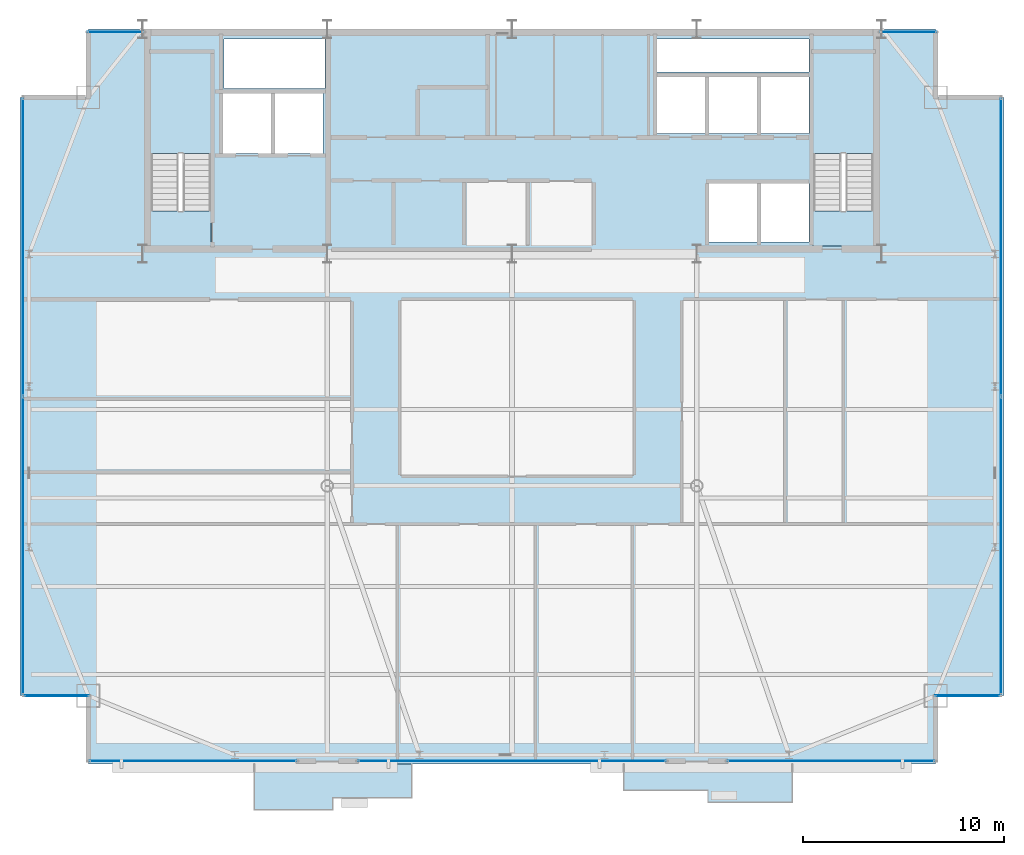
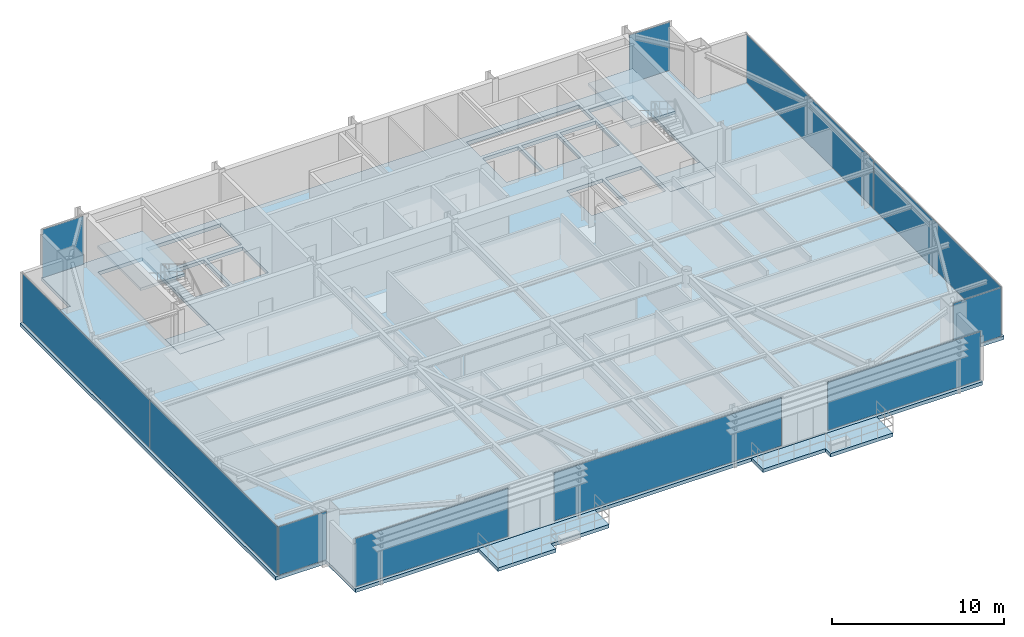
# One storey, part 23 of 30: 11 plates, 7 slabs, 11 elements without a shape of their own.
"""IFC4 building model written with IfcOpenShell, lengths in metres."""

from ifc_helpers import new_model, si_unit, direction, frame, origin, origin_2d, place, context, subcontext, project, spatial, polyline, rectangle, outline, extrude, source, transform, mapped, material, layer, layer_set, type_object, type_shapes, element, aggregate, save


model = new_model("IFC4")

# Units and contexts
model_context = context("Model", 3, precision=1e-05, world=origin(), true_north=direction((0.0, 1.0)))
body_context = subcontext(model_context, "Body", "Model", "MODEL_VIEW")
ifc_project = project(units=[si_unit("LENGTHUNIT", "METRE"), si_unit("AREAUNIT", "SQUARE_METRE"), si_unit("VOLUMEUNIT", "CUBIC_METRE"), si_unit("PLANEANGLEUNIT", "RADIAN"), si_unit("MASSUNIT", "GRAM", prefix="KILO")], contexts=[model_context])

# Site, building, storey
site_placement = place(None, origin())
site = spatial("IfcSite", under=ifc_project, at=site_placement, CompositionType="ELEMENT")
building_placement = place(site_placement, origin())
building = spatial("IfcBuilding", under=site, at=building_placement, Name="Varnel Quay Broadcast Tower", CompositionType="ELEMENT")
storey_placement = place(building_placement, frame((0.0, 0.0, 247.0)))
storey = spatial("IfcBuildingStorey", under=building, at=storey_placement, Name="L61", CompositionType="ELEMENT", Elevation=247.0)

# Slabs
ifc_material_1 = material(Name="Concrete CSA A23.3 C40/50", Category="concrete")
ifc_layer_1 = layer(ifc_material_1, 0.25, Name="Concrete CSA A23.3 C40/50")
ifc_layer_set_1 = layer_set([ifc_layer_1], Name="Concrete CSA A23.3 C40/50")
slab_type_1 = type_object("IfcSlabType", Name="Slab_ExtTerrace250", PredefinedType="FLOOR", material=ifc_layer_set_1)
slab_1_placement = place(storey_placement, frame((0.0, 0.0, -0.25)))
element("IfcSlab", 1, at=slab_1_placement, inside=storey, type_object=slab_type_1, Name="L61 Planted Lobe Terrace Slab 1", PredefinedType="FLOOR", context=body_context, shape_type="SweptSolid", body=[
    extrude(outline(polyline([(21.159912109375, 7.9140625), (25.080078125, 7.9140625), (25.080078125, 8.513916015625), (29.0, 8.513916015625), (29.0, 10.199951171875), (21.159912109375, 10.199951171875), (21.159912109375, 7.9140625)])), origin(), (0.0, 0.0, 1.0), 0.25),
])
slab_2_placement = place(storey_placement, frame((0.0, 0.0, -0.25)))
element("IfcSlab", 2, at=slab_2_placement, inside=storey, type_object=slab_type_1, Name="L61 Planted Lobe Terrace Slab 2", PredefinedType="FLOOR", context=body_context, shape_type="SweptSolid", body=[
    extrude(outline(polyline([(39.56005859375, 8.885986328125), (43.760009765625, 8.885986328125), (43.760009765625, 8.285888671875), (47.9599609375, 8.285888671875), (47.9599609375, 10.199951171875), (39.56005859375, 10.199951171875), (39.56005859375, 8.885986328125)])), origin(), (0.0, 0.0, 1.0), 0.25),
])
ifc_material_2 = material(Name="Concrete CSA A23.3 C50/60", Category="concrete")
ifc_layer_2 = layer(ifc_material_2, 0.25, Name="Concrete CSA A23.3 C50/60")
ifc_layer_set_2 = layer_set([ifc_layer_2], Name="Concrete CSA A23.3 C50/60")
slab_type_2 = type_object("IfcSlabType", Name="Slab_Floor250", PredefinedType="FLOOR", material=ifc_layer_set_2)
slab_3_placement = place(storey_placement, frame((0.0, 0.0, -0.25)))
element("IfcSlab", 3, at=slab_3_placement, inside=storey, type_object=slab_type_2, Name="L61 Structural Slab", PredefinedType="FLOOR", context=body_context, shape_type="SweptSolid", body=[
    extrude(outline(polyline([(12.89990234375, 10.199951171875), (55.10009765625, 10.199951171875), (55.10009765625, 13.60009765625), (58.5, 13.60009765625), (58.5, 43.39990234375), (55.10009765625, 43.39990234375), (55.10009765625, 46.800048828125), (12.89990234375, 46.800048828125), (12.89990234375, 43.39990234375), (9.5, 43.39990234375), (9.5, 13.60009765625), (12.89990234375, 13.60009765625), (12.89990234375, 10.199951171875)]), holes=[polyline([(19.0, 36.0), (16.0, 36.0), (16.0, 45.60009765625), (19.0, 45.60009765625), (19.0, 36.0)]), polyline([(19.60009765625, 40.60009765625), (19.60009765625, 43.60009765625), (22.0, 43.60009765625), (22.0, 40.60009765625), (19.60009765625, 40.60009765625)]), polyline([(22.199951171875, 40.60009765625), (22.199951171875, 43.60009765625), (24.60009765625, 43.60009765625), (24.60009765625, 40.60009765625), (22.199951171875, 40.60009765625)]), polyline([(41.199951171875, 44.39990234375), (43.60009765625, 44.39990234375), (43.60009765625, 41.60009765625), (41.199951171875, 41.60009765625), (41.199951171875, 44.39990234375)]), polyline([(43.800048828125, 44.39990234375), (46.199951171875, 44.39990234375), (46.199951171875, 41.60009765625), (43.800048828125, 41.60009765625), (43.800048828125, 44.39990234375)]), polyline([(19.64990234375, 43.85009765625), (19.64990234375, 46.300048828125), (24.679931640625, 46.300048828125), (24.679931640625, 43.85009765625), (19.64990234375, 43.85009765625)]), polyline([(43.800048828125, 39.10009765625), (46.199951171875, 39.10009765625), (46.199951171875, 36.199951171875), (43.800048828125, 36.199951171875), (43.800048828125, 39.10009765625)]), polyline([(46.39990234375, 39.10009765625), (48.800048828125, 39.10009765625), (48.800048828125, 36.199951171875), (46.39990234375, 36.199951171875), (46.39990234375, 39.10009765625)]), polyline([(52.0, 36.0), (49.0, 36.0), (49.0, 45.60009765625), (52.0, 45.60009765625), (52.0, 36.0)]), polyline([(46.39990234375, 44.39990234375), (48.800048828125, 44.39990234375), (48.800048828125, 41.60009765625), (46.39990234375, 41.60009765625), (46.39990234375, 44.39990234375)]), polyline([(41.199951171875, 46.300048828125), (48.800048828125, 46.300048828125), (48.800048828125, 44.64990234375), (41.199951171875, 44.64990234375), (41.199951171875, 46.300048828125)])]), origin(), (0.0, 0.0, 1.0), 0.25),
])
ifc_layer_3 = layer(ifc_material_2, 0.25, Name="Concrete CSA A23.3 C50/60")
ifc_layer_set_3 = layer_set([ifc_layer_3], Name="Concrete CSA A23.3 C50/60")
slab_type_3 = type_object("IfcSlabType", Name="Slab_StairFloorLanding250", PredefinedType="FLOOR", material=ifc_layer_set_3)
slab_4_placement = place(storey_placement, frame((0.0, 0.0, -0.25)))
element("IfcSlab", 4, at=slab_4_placement, inside=storey, type_object=slab_type_3, Name="L61 ST-01 Structural Floor Landing Slab", PredefinedType="FLOOR", context=body_context, shape_type="SweptSolid", body=[
    extrude(outline(polyline([(19.0, 36.0), (19.0, 37.75), (16.0, 37.75), (16.0, 36.0), (19.0, 36.0)])), origin(), (0.0, 0.0, 1.0), 0.25),
])
slab_5_placement = place(storey_placement, frame((0.0, 0.0, -0.25)))
element("IfcSlab", 5, at=slab_5_placement, inside=storey, type_object=slab_type_3, Name="L61 ST-02 Structural Floor Landing Slab", PredefinedType="FLOOR", context=body_context, shape_type="SweptSolid", body=[
    extrude(outline(polyline([(52.0, 36.0), (52.0, 37.75), (49.0, 37.75), (49.0, 36.0), (52.0, 36.0)])), origin(), (0.0, 0.0, 1.0), 0.25),
])

# Stair, slab
ifc_material_3 = material(Name="Precast Structural Concrete C40/50", Category="concrete")
stair_type_1 = type_object("IfcStairType", Name="Stair_ST-01", PredefinedType="HALF_TURN_STAIR", material=ifc_material_3)
stair_1_placement = place(storey_placement, origin())
stair_1 = element("IfcStair", 6, at=stair_1_placement, inside=storey, type_object=stair_type_1, Name="L61 West Core Exit Stair 1", PredefinedType="HALF_TURN_STAIR")
ifc_layer_4 = layer(ifc_material_3, 0.199951171875, Name="Precast Structural Concrete C40/50")
ifc_layer_set_4 = layer_set([ifc_layer_4], Name="Precast Structural Concrete C40/50")
slab_type_4 = type_object("IfcSlabType", Name="Slab_StairLanding200", PredefinedType="LANDING", material=ifc_layer_set_4)
slab_6_placement = place(storey_placement, frame((0.0, 0.0, 1.699951171875)))
slab_6 = element("IfcSlab", 7, at=slab_6_placement, type_object=slab_type_4, Name="ST-01 landing 1", PredefinedType="LANDING", context=body_context, shape_type="SweptSolid", body=[
    extrude(outline(polyline([(19.0, 40.60009765625), (19.0, 45.60009765625), (16.0, 45.60009765625), (16.0, 40.60009765625), (19.0, 40.60009765625)])), origin(), (0.0, 0.0, 1.0), 0.199951171875),
])
aggregate(stair_1, [slab_6])

stair_type_2 = type_object("IfcStairType", Name="Stair_ST-02", PredefinedType="HALF_TURN_STAIR", material=ifc_material_3)
stair_2_placement = place(storey_placement, origin())
stair_2 = element("IfcStair", 8, at=stair_2_placement, inside=storey, type_object=stair_type_2, Name="L61 East Core Exit Stair 2", PredefinedType="HALF_TURN_STAIR")
slab_7_placement = place(storey_placement, frame((0.0, 0.0, 1.699951171875)))
slab_7 = element("IfcSlab", 9, at=slab_7_placement, type_object=slab_type_4, Name="ST-02 landing 1", PredefinedType="LANDING", context=body_context, shape_type="SweptSolid", body=[
    extrude(outline(polyline([(52.0, 40.60009765625), (52.0, 45.60009765625), (49.0, 45.60009765625), (49.0, 40.60009765625), (52.0, 40.60009765625)])), origin(), (0.0, 0.0, 1.0), 0.199951171875),
])
aggregate(stair_2, [slab_7])

# Curtain wall, plate
ifc_material_4 = material(Name="Anodised Bronze Aluminium 6063-T6", Category="aluminium")
ifc_layer_5 = layer(ifc_material_4, 0.18994140625, Name="Anodised Bronze Aluminium 6063-T6")
ifc_layer_set_5 = layer_set([ifc_layer_5], Name="Anodised Bronze Aluminium 6063-T6")
curtain_wall_type_1 = type_object("IfcCurtainWallType", Name="CW_UpperTower", PredefinedType="NOTDEFINED", material=ifc_layer_set_5)
curtain_wall_1_placement = place(storey_placement, origin())
curtain_wall_1 = element("IfcCurtainWall", 10, at=curtain_wall_1_placement, inside=storey, type_object=curtain_wall_type_1, Name="L61 South Unitised Curtain Wall 1", PredefinedType="NOTDEFINED")
ifc_material_5 = material(Name="Triple-Glazed Bronze Low-E Architectural Glass", Category="glass")
ifc_layer_6 = layer(ifc_material_5, 0.030029296875, Name="Triple-Glazed Bronze Low-E Architectural Glass")
ifc_layer_set_6 = layer_set([ifc_layer_6], Name="Triple-Glazed Bronze Low-E Architectural Glass")
plate_type_1 = type_object("IfcPlateType", Name="Panel_CWS-03", PredefinedType="CURTAIN_PANEL", material=ifc_layer_set_6)
shared_shape_1 = source(origin(), body_context, "Body", "SweptSolid", [
    extrude(rectangle(XDim=10.2900390625, YDim=0.030029296875, at=origin_2d()), origin(), (0.0, 0.0, 1.0), 3.429931640625),
])
plate_1_placement = place(storey_placement, frame((18.110107421875, 10.35009765625, 0.06005859375), z_axis=(0.0, 0.0, 1.0), x_axis=(1.0, 0.0, 0.0)))
plate_1 = element("IfcPlate", 11, at=plate_1_placement, type_object=plate_type_1, Name="CWS-03 panel 1.1", PredefinedType="CURTAIN_PANEL", context=body_context, shape_type="MappedRepresentation", body=[
    mapped(shared_shape_1, transform((0.0, 0.0, 0.0), x_axis=(1.0, 0.0, 0.0), y_axis=(0.0, 1.0, 0.0), z_axis=(0.0, 0.0, 1.0), scale=1.0)),
])
aggregate(curtain_wall_1, [plate_1])

curtain_wall_2_placement = place(storey_placement, origin())
curtain_wall_2 = element("IfcCurtainWall", 12, at=curtain_wall_2_placement, inside=storey, type_object=curtain_wall_type_1, Name="L61 South Unitised Curtain Wall 3", PredefinedType="NOTDEFINED")
plate_2_placement = place(storey_placement, frame((49.889892578125, 10.35009765625, 0.06005859375), z_axis=(0.0, 0.0, 1.0), x_axis=(1.0, 0.0, 0.0)))
plate_2 = element("IfcPlate", 13, at=plate_2_placement, type_object=plate_type_1, Name="CWS-03 panel 1.1", PredefinedType="CURTAIN_PANEL", context=body_context, shape_type="MappedRepresentation", body=[
    mapped(shared_shape_1, transform((0.0, 0.0, 0.0), x_axis=(1.0, 0.0, 0.0), y_axis=(0.0, 1.0, 0.0), z_axis=(0.0, 0.0, 1.0), scale=1.0)),
])
aggregate(curtain_wall_2, [plate_2])

curtain_wall_3_placement = place(storey_placement, origin())
curtain_wall_3 = element("IfcCurtainWall", 14, at=curtain_wall_3_placement, inside=storey, type_object=curtain_wall_type_1, Name="L61 West Unitised Curtain Wall", PredefinedType="NOTDEFINED")
ifc_material_6 = material(Name="Insulated Bronze Spandrel Glass", Category="glass")
ifc_layer_7 = layer(ifc_material_6, 0.030029296875, Name="Insulated Bronze Spandrel Glass")
ifc_layer_set_7 = layer_set([ifc_layer_7], Name="Insulated Bronze Spandrel Glass")
plate_type_2 = type_object("IfcPlateType", Name="PanelSp_CWS-03", PredefinedType="CURTAIN_PANEL", material=ifc_layer_set_7)
shared_shape_2 = source(origin(), body_context, "Body", "SweptSolid", [
    extrude(rectangle(XDim=14.802490234375, YDim=0.030029296875, at=origin_2d()), origin(), (0.0, 0.0, 1.0), 3.429931640625),
])
plate_3_placement = place(storey_placement, frame((9.64990234375, 21.066162109375, 0.06005859375), z_axis=(0.0, 0.0, 1.0), x_axis=(0.0, 1.0, 0.0)))
plate_3 = element("IfcPlate", 15, at=plate_3_placement, type_object=plate_type_2, Name="CWS-03 panel 1.1", PredefinedType="CURTAIN_PANEL", context=body_context, shape_type="MappedRepresentation", body=[
    mapped(shared_shape_2, transform((0.0, 0.0, 0.0), x_axis=(1.0, 0.0, 0.0), y_axis=(0.0, 1.0, 0.0), z_axis=(0.0, 0.0, 1.0), scale=1.0)),
])

curtain_wall_4_placement = place(storey_placement, origin())
curtain_wall_4 = element("IfcCurtainWall", 16, at=curtain_wall_4_placement, inside=storey, type_object=curtain_wall_type_1, Name="L61 East Unitised Curtain Wall", PredefinedType="NOTDEFINED")
plate_4_placement = place(storey_placement, frame((58.35009765625, 21.066162109375, 0.06005859375), z_axis=(0.0, 0.0, 1.0), x_axis=(0.0, 1.0, 0.0)))
plate_4 = element("IfcPlate", 17, at=plate_4_placement, type_object=plate_type_2, Name="CWS-03 panel 1.1", PredefinedType="CURTAIN_PANEL", context=body_context, shape_type="MappedRepresentation", body=[
    mapped(shared_shape_2, transform((0.0, 0.0, 0.0), x_axis=(1.0, 0.0, 0.0), y_axis=(0.0, 1.0, 0.0), z_axis=(0.0, 0.0, 1.0), scale=1.0)),
])

ifc_layer_8 = layer(ifc_material_4, 0.18994140625, Name="Anodised Bronze Aluminium 6063-T6")
ifc_layer_set_8 = layer_set([ifc_layer_8], Name="Anodised Bronze Aluminium 6063-T6")
curtain_wall_type_2 = type_object("IfcCurtainWallType", Name="CW_NotchCorner", PredefinedType="NOTDEFINED", material=ifc_layer_set_8)
curtain_wall_5_placement = place(storey_placement, origin())
curtain_wall_5 = element("IfcCurtainWall", 18, at=curtain_wall_5_placement, inside=storey, type_object=curtain_wall_type_2, Name="L61 SW Notch Curtain Wall", PredefinedType="NOTDEFINED")
ifc_layer_9 = layer(ifc_material_5, 0.028076171875, Name="Triple-Glazed Bronze Low-E Architectural Glass")
ifc_layer_set_9 = layer_set([ifc_layer_9], Name="Triple-Glazed Bronze Low-E Architectural Glass")
plate_type_3 = type_object("IfcPlateType", Name="Panel_CWS-04", PredefinedType="CURTAIN_PANEL", material=ifc_layer_set_9)
shared_shape_3 = source(origin(), body_context, "Body", "SweptSolid", [
    extrude(rectangle(XDim=3.2099609375, YDim=0.028076171875, at=origin_2d()), origin(), (0.0, 0.0, 1.0), 3.43994140625),
])
type_shapes(plate_type_3, [shared_shape_3])
plate_5_placement = place(storey_placement, frame((11.31494140625, 13.60009765625, 0.054931640625), z_axis=(0.0, 0.0, 1.0), x_axis=(1.0, 0.0, 0.0)))
plate_5 = element("IfcPlate", 19, at=plate_5_placement, type_object=plate_type_3, Name="CWS-04 panel 1.1", PredefinedType="CURTAIN_PANEL", context=body_context, shape_type="MappedRepresentation", body=[
    mapped(shared_shape_3, transform((0.0, 0.0, 0.0), x_axis=(1.0, 0.0, 0.0), y_axis=(0.0, 1.0, 0.0), z_axis=(0.0, 0.0, 1.0), scale=1.0)),
])
aggregate(curtain_wall_5, [plate_5])

curtain_wall_6_placement = place(storey_placement, origin())
curtain_wall_6 = element("IfcCurtainWall", 20, at=curtain_wall_6_placement, inside=storey, type_object=curtain_wall_type_2, Name="L61 SE Notch Curtain Wall", PredefinedType="NOTDEFINED")
plate_6_placement = place(storey_placement, frame((56.68505859375, 13.60009765625, 0.054931640625), z_axis=(0.0, 0.0, 1.0), x_axis=(1.0, 0.0, 0.0)))
plate_6 = element("IfcPlate", 21, at=plate_6_placement, type_object=plate_type_3, Name="CWS-04 panel 1.1", PredefinedType="CURTAIN_PANEL", context=body_context, shape_type="MappedRepresentation", body=[
    mapped(shared_shape_3, transform((0.0, 0.0, 0.0), x_axis=(1.0, 0.0, 0.0), y_axis=(0.0, 1.0, 0.0), z_axis=(0.0, 0.0, 1.0), scale=1.0)),
])
aggregate(curtain_wall_6, [plate_6])

curtain_wall_7_placement = place(storey_placement, origin())
curtain_wall_7 = element("IfcCurtainWall", 22, at=curtain_wall_7_placement, inside=storey, type_object=curtain_wall_type_1, Name="L61 NW Wing Curtain Wall", PredefinedType="NOTDEFINED")
shared_shape_4 = source(origin(), body_context, "Body", "SweptSolid", [
    extrude(rectangle(XDim=2.75, YDim=0.030029296875, at=origin_2d()), origin(), (0.0, 0.0, 1.0), 3.429931640625),
])
plate_7_placement = place(storey_placement, frame((14.260009765625, 46.64990234375, 0.06005859375), z_axis=(0.0, 0.0, 1.0), x_axis=(1.0, 0.0, 0.0)))
plate_7 = element("IfcPlate", 23, at=plate_7_placement, type_object=plate_type_1, Name="CWS-03 panel 1.1", PredefinedType="CURTAIN_PANEL", context=body_context, shape_type="MappedRepresentation", body=[
    mapped(shared_shape_4, transform((0.0, 0.0, 0.0), x_axis=(1.0, 0.0, 0.0), y_axis=(0.0, 1.0, 0.0), z_axis=(0.0, 0.0, 1.0), scale=1.0)),
])
aggregate(curtain_wall_7, [plate_7])

curtain_wall_8_placement = place(storey_placement, origin())
curtain_wall_8 = element("IfcCurtainWall", 24, at=curtain_wall_8_placement, inside=storey, type_object=curtain_wall_type_1, Name="L61 NE Wing Curtain Wall", PredefinedType="NOTDEFINED")
plate_8_placement = place(storey_placement, frame((53.739990234375, 46.64990234375, 0.06005859375), z_axis=(0.0, 0.0, 1.0), x_axis=(1.0, 0.0, 0.0)))
plate_8 = element("IfcPlate", 25, at=plate_8_placement, type_object=plate_type_1, Name="CWS-03 panel 1.1", PredefinedType="CURTAIN_PANEL", context=body_context, shape_type="MappedRepresentation", body=[
    mapped(shared_shape_4, transform((0.0, 0.0, 0.0), x_axis=(1.0, 0.0, 0.0), y_axis=(0.0, 1.0, 0.0), z_axis=(0.0, 0.0, 1.0), scale=1.0)),
])
aggregate(curtain_wall_8, [plate_8])

# Plate
shared_shape_5 = source(origin(), body_context, "Body", "SweptSolid", [
    extrude(rectangle(XDim=14.802490234375, YDim=0.030029296875, at=origin_2d()), origin(), (0.0, 0.0, 1.0), 3.429931640625),
])
type_shapes(plate_type_1, [shared_shape_1, shared_shape_4, shared_shape_5])
plate_9_placement = place(storey_placement, frame((9.64990234375, 35.933837890625, 0.06005859375), z_axis=(0.0, 0.0, 1.0), x_axis=(0.0, 1.0, 0.0)))
plate_9 = element("IfcPlate", 26, at=plate_9_placement, type_object=plate_type_1, Name="CWS-03 panel 2.1", PredefinedType="CURTAIN_PANEL", context=body_context, shape_type="MappedRepresentation", body=[
    mapped(shared_shape_5, transform((0.0, 0.0, 0.0), x_axis=(1.0, 0.0, 0.0), y_axis=(0.0, 1.0, 0.0), z_axis=(0.0, 0.0, 1.0), scale=1.0)),
])

aggregate(curtain_wall_3, [plate_3, plate_9])

plate_10_placement = place(storey_placement, frame((58.35009765625, 35.933837890625, 0.06005859375), z_axis=(0.0, 0.0, 1.0), x_axis=(0.0, 1.0, 0.0)))
plate_10 = element("IfcPlate", 27, at=plate_10_placement, type_object=plate_type_1, Name="CWS-03 panel 2.1", PredefinedType="CURTAIN_PANEL", context=body_context, shape_type="MappedRepresentation", body=[
    mapped(shared_shape_5, transform((0.0, 0.0, 0.0), x_axis=(1.0, 0.0, 0.0), y_axis=(0.0, 1.0, 0.0), z_axis=(0.0, 0.0, 1.0), scale=1.0)),
])

aggregate(curtain_wall_4, [plate_4, plate_10])

# Curtain wall, plate
curtain_wall_9_placement = place(storey_placement, origin())
curtain_wall_9 = element("IfcCurtainWall", 28, at=curtain_wall_9_placement, inside=storey, type_object=curtain_wall_type_1, Name="L61 South Unitised Curtain Wall 2", PredefinedType="NOTDEFINED")
shared_shape_6 = source(origin(), body_context, "Body", "SweptSolid", [
    extrude(rectangle(XDim=15.31005859375, YDim=0.030029296875, at=origin_2d()), origin(), (0.0, 0.0, 1.0), 3.429931640625),
])
type_shapes(plate_type_2, [shared_shape_2, shared_shape_6])
plate_11_placement = place(storey_placement, frame((34.0, 10.35009765625, 0.06005859375), z_axis=(0.0, 0.0, 1.0), x_axis=(1.0, 0.0, 0.0)))
plate_11 = element("IfcPlate", 29, at=plate_11_placement, type_object=plate_type_2, Name="CWS-03 panel 1.1", PredefinedType="CURTAIN_PANEL", context=body_context, shape_type="MappedRepresentation", body=[
    mapped(shared_shape_6, transform((0.0, 0.0, 0.0), x_axis=(1.0, 0.0, 0.0), y_axis=(0.0, 1.0, 0.0), z_axis=(0.0, 0.0, 1.0), scale=1.0)),
])
aggregate(curtain_wall_9, [plate_11])

save(model, "model.ifc")
